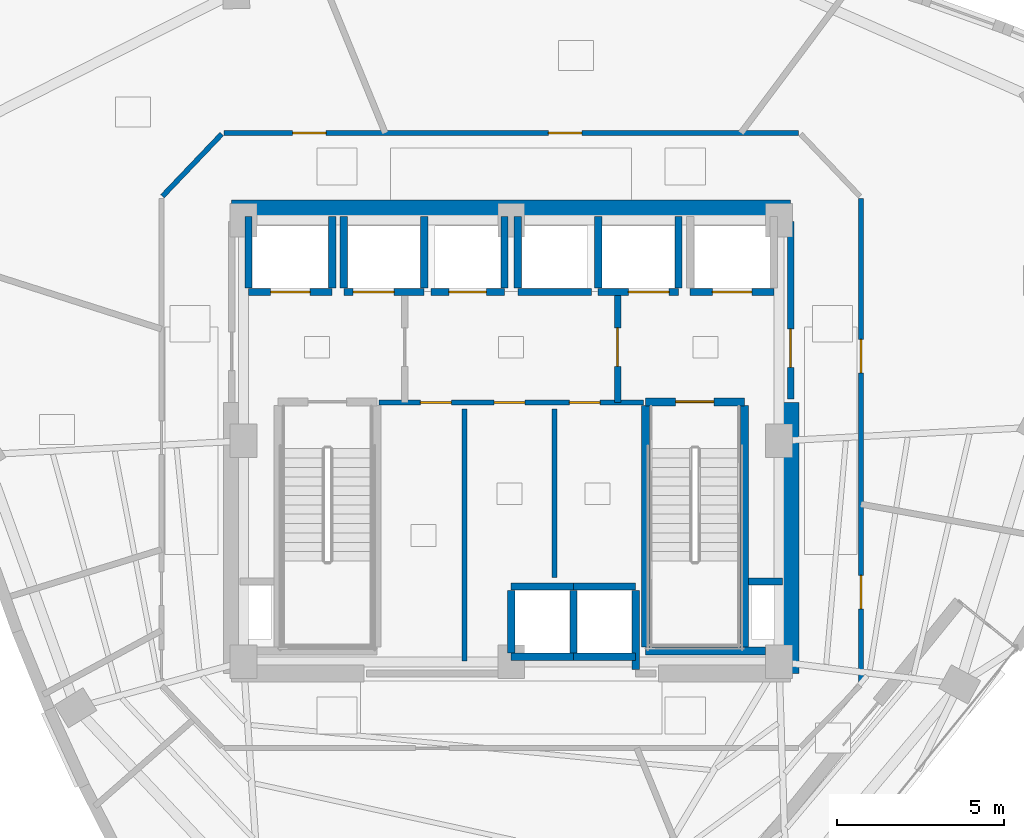
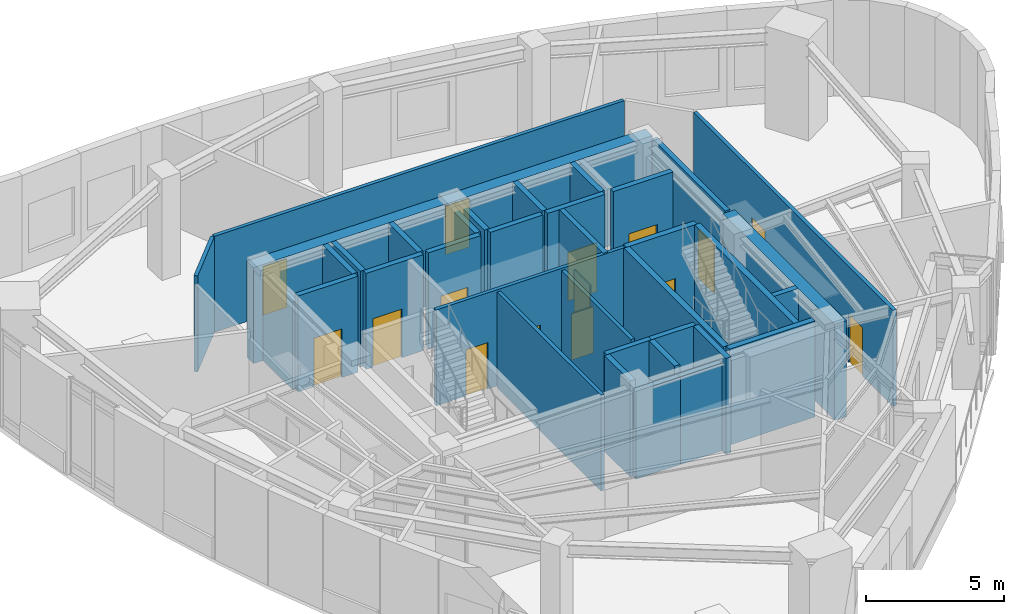
# One storey, part 9 of 14: 36 walls, 15 doors, 15 openings.
"""IFC4 building model written with IfcOpenShell, lengths in metres."""

from ifc_helpers import new_model, si_unit, direction, frame, frame_2d, origin, place, context, subcontext, project, spatial, rectangle, extrude, material, layer, layer_set, type_object, element, fill, save


model = new_model("IFC4")

# Units and contexts
model_context = context("Model", 3, precision=1e-05, world=origin(), true_north=direction((0.0, 1.0)))
body_context = subcontext(model_context, "Body", "Model", "MODEL_VIEW")
ifc_project = project(units=[si_unit("LENGTHUNIT", "METRE"), si_unit("AREAUNIT", "SQUARE_METRE"), si_unit("VOLUMEUNIT", "CUBIC_METRE"), si_unit("PLANEANGLEUNIT", "RADIAN"), si_unit("MASSUNIT", "GRAM", prefix="KILO")], contexts=[model_context])

# Site, building, storey
site_placement = place(None, origin())
site = spatial("IfcSite", under=ifc_project, at=site_placement, CompositionType="ELEMENT")
building_placement = place(site_placement, origin())
building = spatial("IfcBuilding", under=site, at=building_placement, Name="Ndelora Gate Hotel", CompositionType="ELEMENT")
storey_placement = place(building_placement, frame((0.0, 0.0, 178.25)))
storey = spatial("IfcBuildingStorey", under=building, at=storey_placement, Name="L44", CompositionType="ELEMENT", Elevation=178.25)

# Walls
ifc_material_1 = material(Name="Concrete C50/60", Category="concrete")
ifc_layer_1 = layer(ifc_material_1, 0.5)
ifc_layer_set_1 = layer_set([ifc_layer_1], Name="Concrete C50/60")
wall_type_1 = type_object("IfcWallType", Name="WL-CORE-500", PredefinedType="SHEAR", material=ifc_layer_set_1)
wall_1_placement = place(storey_placement, frame((-8.35009765625, 6.949951171875, 0.0), z_axis=(0.0, 0.0, 1.0), x_axis=(1.0, 0.0, 0.0)))
element("IfcWall", 1, at=wall_1_placement, inside=storey, type_object=wall_type_1, Name="L44 Core Shear Wall N", PredefinedType="SHEAR", context=body_context, shape_type="SweptSolid", body=[
    extrude(rectangle(XDim=16.7001953125, YDim=0.5, at=frame_2d((8.35009765625, 0.0))), origin(), (0.0, 0.0, 1.0), 4.25),
])
wall_2_placement = place(storey_placement, frame((8.35009765625, -6.949951171875, 0.0), z_axis=(0.0, 0.0, 1.0), x_axis=(0.0, 1.0, 0.0)))
element("IfcWall", 2, at=wall_2_placement, inside=storey, type_object=wall_type_1, Name="L44 Core Shear Wall E", PredefinedType="SHEAR", context=body_context, shape_type="SweptSolid", body=[
    extrude(rectangle(XDim=8.099853515625, YDim=0.5, at=frame_2d((4.0498046875, 0.0))), origin(), (0.0, 0.0, 1.0), 4.25),
])

# Wall, opening, door
ifc_material_2 = material(Name="Concrete C40/50", Category="concrete")
ifc_layer_2 = layer(ifc_material_2, 0.199951171875)
ifc_layer_set_2 = layer_set([ifc_layer_2], Name="Concrete C40/50")
wall_type_2 = type_object("IfcWallType", Name="WL-FIRE-200", PredefinedType="PARTITIONING", material=ifc_layer_set_2)
wall_3_placement = place(storey_placement, frame((3.179931640625, 1.14990234375, 0.0), z_axis=(0.0, 0.0, 1.0), x_axis=(0.0, 1.0, 0.0)))
wall_3 = element("IfcWall", 3, at=wall_3_placement, inside=storey, type_object=wall_type_2, Name="L44 Interior Wall IW-2", PredefinedType="PARTITIONING", context=body_context, shape_type="SweptSolid", body=[
    extrude(rectangle(XDim=3.300048828125, YDim=0.199951171875, at=frame_2d((1.64990234375, 0.0))), origin(), (0.0, 0.0, 1.0), 4.25),
])
opening_1_placement = place(wall_3_placement, frame((1.080078125, 0.0, 0.0)))
opening_1 = element("IfcOpeningElement", 4, at=opening_1_placement, cuts=wall_3, Name="Opening FD1", PredefinedType="OPENING", context=body_context, shape_type="SweptSolid", body=[
    extrude(rectangle(XDim=1.14990234375, YDim=2.14990234375, at=frame_2d((0.574951171875, 1.074951171875))), frame((0.0, 0.10986328125, 0.0), z_axis=(0.0, -1.0, 0.0), x_axis=(1.0, 0.0, 0.0)), (0.0, 0.0, 1.0), 0.219970703125),
])
ifc_material_3 = material(Name="Fire-Rated Timber-Veneer Steel Core", Category="steel")
door_type_1 = type_object("IfcDoorType", Name="DR-FD60", OperationType="SINGLE_SWING_LEFT", PredefinedType="DOOR", material=ifc_material_3)
door_1_placement = place(opening_1_placement, origin())
door_1 = element("IfcDoor", 5, at=door_1_placement, inside=storey, type_object=door_type_1, Name="L44 Firefighting Lobby East Door", OperationType="SINGLE_SWING_LEFT", OverallHeight=2.14990234375, OverallWidth=1.14990234375, PredefinedType="DOOR", context=body_context, shape_type="SweptSolid", body=[
    extrude(rectangle(XDim=1.14990234375, YDim=2.14990234375, at=frame_2d((0.574951171875, 1.074951171875))), frame((0.0, 0.02490234375, 0.0), z_axis=(0.0, -1.0, 0.0), x_axis=(1.0, 0.0, 0.0)), (0.0, 0.0, 1.0), 0.050048828125),
])
fill(opening_1, door_1)

wall_4_placement = place(storey_placement, frame((8.35009765625, 1.25, 0.0), z_axis=(0.0, 0.0, 1.0), x_axis=(0.0, 1.0, 0.0)))
wall_4 = element("IfcWall", 6, at=wall_4_placement, inside=storey, type_object=wall_type_2, Name="L44 Interior Wall IW-2", PredefinedType="PARTITIONING", context=body_context, shape_type="SweptSolid", body=[
    extrude(rectangle(XDim=5.300048828125, YDim=0.199951171875, at=frame_2d((2.64990234375, 0.0))), origin(), (0.0, 0.0, 1.0), 4.25),
])
opening_2_placement = place(wall_4_placement, frame((0.949951171875, 0.0, 0.0)))
opening_2 = element("IfcOpeningElement", 7, at=opening_2_placement, cuts=wall_4, Name="Opening FD1", PredefinedType="OPENING", context=body_context, shape_type="SweptSolid", body=[
    extrude(rectangle(XDim=1.14990234375, YDim=2.14990234375, at=frame_2d((0.574951171875, 1.074951171875))), frame((0.0, 0.10986328125, 0.0), z_axis=(0.0, -1.0, 0.0), x_axis=(1.0, 0.0, 0.0)), (0.0, 0.0, 1.0), 0.219970703125),
])
door_2_placement = place(opening_2_placement, origin())
door_2 = element("IfcDoor", 8, at=door_2_placement, inside=storey, type_object=door_type_1, Name="L44 Firefighting Lobby East Corridor Door", OperationType="SINGLE_SWING_RIGHT", OverallHeight=2.14990234375, OverallWidth=1.14990234375, PredefinedType="DOOR", context=body_context, shape_type="SweptSolid", body=[
    extrude(rectangle(XDim=1.14990234375, YDim=2.14990234375, at=frame_2d((0.574951171875, 1.074951171875))), frame((0.0, 0.02490234375, 0.0), z_axis=(0.0, -1.0, 0.0), x_axis=(1.0, 0.0, 0.0)), (0.0, 0.0, 1.0), 0.050048828125),
])
fill(opening_2, door_2)

# Wall, openings, doors
ifc_material_4 = material(Name="Fire-Rated Gypsum Stud Partition", Category="gypsum")
ifc_layer_3 = layer(ifc_material_4, 0.14990234375)
ifc_layer_set_3 = layer_set([ifc_layer_3], Name="Fire-Rated Gypsum Stud Partition")
wall_type_3 = type_object("IfcWallType", Name="WL-PART-150", PredefinedType="PARTITIONING", material=ifc_layer_set_3)
wall_5_placement = place(storey_placement, frame((3.949951171875, 1.14990234375, 0.0), z_axis=(0.0, 0.0, 1.0), x_axis=(-1.0, 0.0, 0.0)))
wall_5 = element("IfcWall", 9, at=wall_5_placement, inside=storey, type_object=wall_type_3, Name="L44 Interior Wall IW-5", PredefinedType="PARTITIONING", context=body_context, shape_type="SweptSolid", body=[
    extrude(rectangle(XDim=7.89990234375, YDim=0.14990234375, at=frame_2d((3.949951171875, 0.0))), origin(), (0.0, 0.0, 1.0), 4.25),
])
opening_3_placement = place(wall_5_placement, frame((5.739990234375, 0.0, 0.0)))
opening_3 = element("IfcOpeningElement", 10, at=opening_3_placement, cuts=wall_5, Name="Opening D04", PredefinedType="OPENING", context=body_context, shape_type="SweptSolid", body=[
    extrude(rectangle(XDim=0.919921875, YDim=2.050048828125, at=frame_2d((0.4599609375, 1.02490234375))), frame((0.0, 0.0849609375, 0.0), z_axis=(0.0, -1.0, 0.0), x_axis=(1.0, 0.0, 0.0)), (0.0, 0.0, 1.0), 0.169921875),
])
opening_4_placement = place(wall_5_placement, frame((3.5400390625, 0.0, 0.0)))
opening_4 = element("IfcOpeningElement", 11, at=opening_4_placement, cuts=wall_5, Name="Opening D04", PredefinedType="OPENING", context=body_context, shape_type="SweptSolid", body=[
    extrude(rectangle(XDim=0.919921875, YDim=2.050048828125, at=frame_2d((0.4599609375, 1.02490234375))), frame((0.0, 0.0849609375, 0.0), z_axis=(0.0, -1.0, 0.0), x_axis=(1.0, 0.0, 0.0)), (0.0, 0.0, 1.0), 0.169921875),
])
opening_5_placement = place(wall_5_placement, frame((1.2900390625, 0.0, 0.0)))
opening_5 = element("IfcOpeningElement", 12, at=opening_5_placement, cuts=wall_5, Name="Opening D04", PredefinedType="OPENING", context=body_context, shape_type="SweptSolid", body=[
    extrude(rectangle(XDim=0.919921875, YDim=2.050048828125, at=frame_2d((0.4599609375, 1.02490234375))), frame((0.0, 0.0849609375, 0.0), z_axis=(0.0, -1.0, 0.0), x_axis=(1.0, 0.0, 0.0)), (0.0, 0.0, 1.0), 0.169921875),
])
ifc_material_5 = material(Name="Painted Steel Core Service Door", Category="steel")
door_type_2 = type_object("IfcDoorType", Name="DR-SER-920", OperationType="SINGLE_SWING_LEFT", PredefinedType="DOOR", material=ifc_material_5)
door_3_placement = place(opening_3_placement, origin())
door_3 = element("IfcDoor", 13, at=door_3_placement, inside=storey, type_object=door_type_2, Name="L44 Core Cleaners Store Door", OperationType="SINGLE_SWING_LEFT", OverallHeight=2.050048828125, OverallWidth=0.919921875, PredefinedType="DOOR", context=body_context, shape_type="SweptSolid", body=[
    extrude(rectangle(XDim=0.919921875, YDim=2.050048828125, at=frame_2d((0.4599609375, 1.02490234375))), frame((0.0, 0.02490234375, 0.0), z_axis=(0.0, -1.0, 0.0), x_axis=(1.0, 0.0, 0.0)), (0.0, 0.0, 1.0), 0.050048828125),
])
fill(opening_3, door_3)
door_4_placement = place(opening_4_placement, origin())
door_4 = element("IfcDoor", 14, at=door_4_placement, inside=storey, type_object=door_type_2, Name="L44 Core Telecoms Equipment Room Door", OperationType="SINGLE_SWING_RIGHT", OverallHeight=2.050048828125, OverallWidth=0.919921875, PredefinedType="DOOR", context=body_context, shape_type="SweptSolid", body=[
    extrude(rectangle(XDim=0.919921875, YDim=2.050048828125, at=frame_2d((0.4599609375, 1.02490234375))), frame((0.0, 0.02490234375, 0.0), z_axis=(0.0, -1.0, 0.0), x_axis=(1.0, 0.0, 0.0)), (0.0, 0.0, 1.0), 0.050048828125),
])
fill(opening_4, door_4)
door_5_placement = place(opening_5_placement, origin())
door_5 = element("IfcDoor", 15, at=door_5_placement, inside=storey, type_object=door_type_2, Name="L44 Core Electrical Metering Room Door", OperationType="SINGLE_SWING_LEFT", OverallHeight=2.050048828125, OverallWidth=0.919921875, PredefinedType="DOOR", context=body_context, shape_type="SweptSolid", body=[
    extrude(rectangle(XDim=0.919921875, YDim=2.050048828125, at=frame_2d((0.4599609375, 1.02490234375))), frame((0.0, 0.02490234375, 0.0), z_axis=(0.0, -1.0, 0.0), x_axis=(1.0, 0.0, 0.0)), (0.0, 0.0, 1.0), 0.050048828125),
])
fill(opening_5, door_5)

# Walls
wall_6_placement = place(storey_placement, frame((-1.39990234375, -6.580078125, 0.0), z_axis=(0.0, 0.0, 1.0), x_axis=(0.0, 1.0, 0.0)))
element("IfcWall", 16, at=wall_6_placement, inside=storey, type_object=wall_type_3, Name="L44 Interior Wall IW-5", PredefinedType="PARTITIONING", context=body_context, shape_type="SweptSolid", body=[
    extrude(rectangle(XDim=7.530029296875, YDim=0.14990234375, at=frame_2d((3.76513671875, 0.0))), origin(), (0.0, 0.0, 1.0), 4.25),
])
wall_7_placement = place(storey_placement, frame((1.300048828125, -4.080078125, 0.0), z_axis=(0.0, 0.0, 1.0), x_axis=(0.0, 1.0, 0.0)))
element("IfcWall", 17, at=wall_7_placement, inside=storey, type_object=wall_type_3, Name="L44 Interior Wall IW-5", PredefinedType="PARTITIONING", context=body_context, shape_type="SweptSolid", body=[
    extrude(rectangle(XDim=5.030029296875, YDim=0.14990234375, at=frame_2d((2.51513671875, 0.0))), origin(), (0.0, 0.0, 1.0), 4.25),
])

# Wall, openings, doors
wall_8_placement = place(storey_placement, frame((10.449951171875, 7.239990234375, 0.0), z_axis=(0.0, 0.0, 1.0), x_axis=(0.0, -1.0, 0.0)))
wall_8 = element("IfcWall", 18, at=wall_8_placement, inside=storey, type_object=wall_type_3, Name="L44 Interior Wall IW-5", PredefinedType="PARTITIONING", context=body_context, shape_type="SweptSolid", body=[
    extrude(rectangle(XDim=14.47998046875, YDim=0.14990234375, at=frame_2d((7.239990234375, 0.0))), origin(), (0.0, 0.0, 1.0), 4.25),
])
opening_6_placement = place(wall_8_placement, frame((11.2548828125, 0.0, 0.0)))
opening_6 = element("IfcOpeningElement", 19, at=opening_6_placement, cuts=wall_8, Name="Opening D01", PredefinedType="OPENING", context=body_context, shape_type="SweptSolid", body=[
    extrude(rectangle(XDim=1.0, YDim=2.14990234375, at=frame_2d((0.5, 1.074951171875))), frame((0.0, 0.0849609375, 0.0), z_axis=(0.0, -1.0, 0.0), x_axis=(1.0, 0.0, 0.0)), (0.0, 0.0, 1.0), 0.169921875),
])
opening_7_placement = place(wall_8_placement, frame((4.2060546875, 0.0, 0.0)))
opening_7 = element("IfcOpeningElement", 20, at=opening_7_placement, cuts=wall_8, Name="Opening D01", PredefinedType="OPENING", context=body_context, shape_type="SweptSolid", body=[
    extrude(rectangle(XDim=1.0, YDim=2.14990234375, at=frame_2d((0.5, 1.074951171875))), frame((0.0, 0.0849609375, 0.0), z_axis=(0.0, -1.0, 0.0), x_axis=(1.0, 0.0, 0.0)), (0.0, 0.0, 1.0), 0.169921875),
])
ifc_material_6 = material(Name="Acoustic Hardwood Guest Entrance Door", Category="wood")
door_type_3 = type_object("IfcDoorType", Name="DR-COR-1000", OperationType="SINGLE_SWING_LEFT", PredefinedType="DOOR", material=ifc_material_6)
door_6_placement = place(opening_6_placement, origin())
door_6 = element("IfcDoor", 21, at=door_6_placement, inside=storey, type_object=door_type_3, Name="L44 Sky Garden Tea Dining Room Entrance Door", OperationType="SINGLE_SWING_RIGHT", OverallHeight=2.14990234375, OverallWidth=1.0, PredefinedType="DOOR", context=body_context, shape_type="SweptSolid", body=[
    extrude(rectangle(XDim=1.0, YDim=2.14990234375, at=frame_2d((0.5, 1.074951171875))), frame((0.0, 0.02490234375, 0.0), z_axis=(0.0, -1.0, 0.0), x_axis=(1.0, 0.0, 0.0)), (0.0, 0.0, 1.0), 0.050048828125),
])
fill(opening_6, door_6)
door_7_placement = place(opening_7_placement, origin())
door_7 = element("IfcDoor", 22, at=door_7_placement, inside=storey, type_object=door_type_3, Name="L44 Infinity Sky Tea Salon Entrance Door", OperationType="SINGLE_SWING_RIGHT", OverallHeight=2.14990234375, OverallWidth=1.0, PredefinedType="DOOR", context=body_context, shape_type="SweptSolid", body=[
    extrude(rectangle(XDim=1.0, YDim=2.14990234375, at=frame_2d((0.5, 1.074951171875))), frame((0.0, 0.02490234375, 0.0), z_axis=(0.0, -1.0, 0.0), x_axis=(1.0, 0.0, 0.0)), (0.0, 0.0, 1.0), 0.050048828125),
])
fill(opening_7, door_7)

wall_9_placement = place(storey_placement, frame((-8.580078125, 9.199951171875, 0.0), z_axis=(0.0, 0.0, 1.0), x_axis=(1.0, 0.0, 0.0)))
wall_9 = element("IfcWall", 23, at=wall_9_placement, inside=storey, type_object=wall_type_3, Name="L44 Interior Wall IW-5", PredefinedType="PARTITIONING", context=body_context, shape_type="SweptSolid", body=[
    extrude(rectangle(XDim=17.16015625, YDim=0.14990234375, at=frame_2d((8.580078125, 0.0))), origin(), (0.0, 0.0, 1.0), 4.25),
])
opening_8_placement = place(wall_9_placement, frame((9.694580078125, 0.0, 0.0)))
opening_8 = element("IfcOpeningElement", 24, at=opening_8_placement, cuts=wall_9, Name="Opening D01", PredefinedType="OPENING", context=body_context, shape_type="SweptSolid", body=[
    extrude(rectangle(XDim=1.0, YDim=2.14990234375, at=frame_2d((0.5, 1.074951171875))), frame((0.0, 0.0849609375, 0.0), z_axis=(0.0, -1.0, 0.0), x_axis=(1.0, 0.0, 0.0)), (0.0, 0.0, 1.0), 0.169921875),
])
opening_9_placement = place(wall_9_placement, frame((2.048095703125, 0.0, 0.0)))
opening_9 = element("IfcOpeningElement", 25, at=opening_9_placement, cuts=wall_9, Name="Opening D01", PredefinedType="OPENING", context=body_context, shape_type="SweptSolid", body=[
    extrude(rectangle(XDim=1.0, YDim=2.14990234375, at=frame_2d((0.5, 1.074951171875))), frame((0.0, 0.0849609375, 0.0), z_axis=(0.0, -1.0, 0.0), x_axis=(1.0, 0.0, 0.0)), (0.0, 0.0, 1.0), 0.169921875),
])
door_8_placement = place(opening_8_placement, origin())
door_8 = element("IfcDoor", 26, at=door_8_placement, inside=storey, type_object=door_type_3, Name="L44 Pilates Movement Studio Entrance Door", OperationType="SINGLE_SWING_RIGHT", OverallHeight=2.14990234375, OverallWidth=1.0, PredefinedType="DOOR", context=body_context, shape_type="SweptSolid", body=[
    extrude(rectangle(XDim=1.0, YDim=2.14990234375, at=frame_2d((0.5, 1.074951171875))), frame((0.0, 0.02490234375, 0.0), z_axis=(0.0, -1.0, 0.0), x_axis=(1.0, 0.0, 0.0)), (0.0, 0.0, 1.0), 0.050048828125),
])
fill(opening_8, door_8)
door_9_placement = place(opening_9_placement, origin())
door_9 = element("IfcDoor", 27, at=door_9_placement, inside=storey, type_object=door_type_3, Name="L44 Wellness Juice Bar Entrance Door", OperationType="SINGLE_SWING_LEFT", OverallHeight=2.14990234375, OverallWidth=1.0, PredefinedType="DOOR", context=body_context, shape_type="SweptSolid", body=[
    extrude(rectangle(XDim=1.0, YDim=2.14990234375, at=frame_2d((0.5, 1.074951171875))), frame((0.0, 0.02490234375, 0.0), z_axis=(0.0, -1.0, 0.0), x_axis=(1.0, 0.0, 0.0)), (0.0, 0.0, 1.0), 0.050048828125),
])
fill(opening_9, door_9)

# Walls
wall_10_placement = place(storey_placement, frame((-10.42236328125, 7.30908203125, 0.0), z_axis=(0.0, 0.0, 1.0), x_axis=(0.689960858356, 0.723846678473, 0.0)))
element("IfcWall", 28, at=wall_10_placement, inside=storey, type_object=wall_type_3, Name="L44 Interior Wall IW-5", PredefinedType="PARTITIONING", context=body_context, shape_type="SweptSolid", body=[
    extrude(rectangle(XDim=2.572021484375, YDim=0.14990234375, at=frame_2d((1.2861328125, 0.0))), origin(), (0.0, 0.0, 1.0), 4.25),
])
ifc_layer_4 = layer(ifc_material_2, 0.219970703125)
ifc_layer_set_4 = layer_set([ifc_layer_4], Name="Concrete C40/50")
wall_type_4 = type_object("IfcWallType", Name="WL-SHAFT-220", PredefinedType="PARTITIONING", material=ifc_layer_set_4)
wall_11_placement = place(storey_placement, frame((7.090087890625, -4.199951171875, 0.0), z_axis=(0.0, 0.0, 1.0), x_axis=(1.0, 0.0, 0.0)))
element("IfcWall", 29, at=wall_11_placement, inside=storey, type_object=wall_type_4, Name="L44 Interior Wall IW-1", PredefinedType="PARTITIONING", context=body_context, shape_type="SweptSolid", body=[
    extrude(rectangle(XDim=1.010009765625, YDim=0.219970703125, at=frame_2d((0.5048828125, 0.0))), origin(), (0.0, 0.0, 1.0), 4.25),
])

# Wall, opening, door
wall_12_placement = place(storey_placement, frame((-7.85009765625, 4.449951171875, 0.0), z_axis=(0.0, 0.0, 1.0), x_axis=(1.0, 0.0, 0.0)))
wall_12 = element("IfcWall", 30, at=wall_12_placement, inside=storey, type_object=wall_type_4, Name="L44 Interior Wall IW-1", PredefinedType="PARTITIONING", context=body_context, shape_type="SweptSolid", body=[
    extrude(rectangle(XDim=2.5, YDim=0.219970703125, at=frame_2d((1.25, 0.0))), origin(), (0.0, 0.0, 1.0), 4.25),
])
opening_10_placement = place(wall_12_placement, frame((0.659912109375, 0.0, 0.0)))
opening_10 = element("IfcOpeningElement", 31, at=opening_10_placement, cuts=wall_12, Name="Opening LD5", PredefinedType="OPENING", context=body_context, shape_type="SweptSolid", body=[
    extrude(rectangle(XDim=1.179931640625, YDim=2.14990234375, at=frame_2d((0.58984375, 1.074951171875))), frame((0.0, 0.1201171875, 0.0), z_axis=(0.0, -1.0, 0.0), x_axis=(1.0, 0.0, 0.0)), (0.0, 0.0, 1.0), 0.239990234375),
])
ifc_material_7 = material(Name="Firefighting Lift Stainless Sliding Landing Door", Category="metal")
door_type_4 = type_object("IfcDoorType", Name="DR-LD5", OperationType="DOUBLE_DOOR_SLIDING", PredefinedType="DOOR", material=ifc_material_7)
door_10_placement = place(opening_10_placement, origin())
door_10 = element("IfcDoor", 32, at=door_10_placement, inside=storey, type_object=door_type_4, Name="L44 Lift Landing Sliding Door FFL1", OperationType="DOUBLE_DOOR_SLIDING", OverallHeight=2.14990234375, OverallWidth=1.179931640625, PredefinedType="DOOR", context=body_context, shape_type="SweptSolid", body=[
    extrude(rectangle(XDim=1.179931640625, YDim=2.14990234375, at=frame_2d((0.58984375, 1.074951171875))), frame((0.0, 0.02490234375, 0.0), z_axis=(0.0, -1.0, 0.0), x_axis=(1.0, 0.0, 0.0)), (0.0, 0.0, 1.0), 0.050048828125),
])
fill(opening_10, door_10)

# Walls
wall_13_placement = place(storey_placement, frame((-7.85009765625, 4.570068359375, 0.0), z_axis=(0.0, 0.0, 1.0), x_axis=(0.0, 1.0, 0.0)))
element("IfcWall", 33, at=wall_13_placement, inside=storey, type_object=wall_type_4, Name="L44 Interior Wall IW-1", PredefinedType="PARTITIONING", context=body_context, shape_type="SweptSolid", body=[
    extrude(rectangle(XDim=2.1298828125, YDim=0.219970703125, at=frame_2d((1.06494140625, 0.0))), origin(), (0.0, 0.0, 1.0), 3.8798828125),
])
wall_14_placement = place(storey_placement, frame((-5.35009765625, 4.570068359375, 0.0), z_axis=(0.0, 0.0, 1.0), x_axis=(0.0, 1.0, 0.0)))
element("IfcWall", 34, at=wall_14_placement, inside=storey, type_object=wall_type_4, Name="L44 Interior Wall IW-1", PredefinedType="PARTITIONING", context=body_context, shape_type="SweptSolid", body=[
    extrude(rectangle(XDim=2.1298828125, YDim=0.219970703125, at=frame_2d((1.06494140625, 0.0))), origin(), (0.0, 0.0, 1.0), 4.25),
])

# Wall, opening, door
wall_15_placement = place(storey_placement, frame((5.35009765625, 4.449951171875, 0.0), z_axis=(0.0, 0.0, 1.0), x_axis=(1.0, 0.0, 0.0)))
wall_15 = element("IfcWall", 35, at=wall_15_placement, inside=storey, type_object=wall_type_4, Name="L44 Interior Wall IW-1", PredefinedType="PARTITIONING", context=body_context, shape_type="SweptSolid", body=[
    extrude(rectangle(XDim=2.5, YDim=0.219970703125, at=frame_2d((1.25, 0.0))), origin(), (0.0, 0.0, 1.0), 4.25),
])
opening_11_placement = place(wall_15_placement, frame((0.659912109375, 0.0, 0.0)))
opening_11 = element("IfcOpeningElement", 36, at=opening_11_placement, cuts=wall_15, Name="Opening LD5", PredefinedType="OPENING", context=body_context, shape_type="SweptSolid", body=[
    extrude(rectangle(XDim=1.179931640625, YDim=2.14990234375, at=frame_2d((0.58984375, 1.074951171875))), frame((0.0, 0.1201171875, 0.0), z_axis=(0.0, -1.0, 0.0), x_axis=(1.0, 0.0, 0.0)), (0.0, 0.0, 1.0), 0.239990234375),
])
door_11_placement = place(opening_11_placement, origin())
door_11 = element("IfcDoor", 37, at=door_11_placement, inside=storey, type_object=door_type_4, Name="L44 Lift Landing Sliding Door FFL2", OperationType="DOUBLE_DOOR_SLIDING", OverallHeight=2.14990234375, OverallWidth=1.179931640625, PredefinedType="DOOR", context=body_context, shape_type="SweptSolid", body=[
    extrude(rectangle(XDim=1.179931640625, YDim=2.14990234375, at=frame_2d((0.58984375, 1.074951171875))), frame((0.0, 0.02490234375, 0.0), z_axis=(0.0, -1.0, 0.0), x_axis=(1.0, 0.0, 0.0)), (0.0, 0.0, 1.0), 0.050048828125),
])
fill(opening_11, door_11)

wall_16_placement = place(storey_placement, frame((-5.0, 4.449951171875, 0.0), z_axis=(0.0, 0.0, 1.0), x_axis=(1.0, 0.0, 0.0)))
wall_16 = element("IfcWall", 38, at=wall_16_placement, inside=storey, type_object=wall_type_4, Name="L44 Interior Wall IW-1", PredefinedType="PARTITIONING", context=body_context, shape_type="SweptSolid", body=[
    extrude(rectangle(XDim=2.39990234375, YDim=0.219970703125, at=frame_2d((1.199951171875, 0.0))), origin(), (0.0, 0.0, 1.0), 4.25),
])
opening_12_placement = place(wall_16_placement, frame((0.280029296875, 0.0, 0.0)))
opening_12 = element("IfcOpeningElement", 39, at=opening_12_placement, cuts=wall_16, Name="Opening LD6", PredefinedType="OPENING", context=body_context, shape_type="SweptSolid", body=[
    extrude(rectangle(XDim=1.219970703125, YDim=2.14990234375, at=frame_2d((0.60986328125, 1.074951171875))), frame((0.0, 0.1201171875, 0.0), z_axis=(0.0, -1.0, 0.0), x_axis=(1.0, 0.0, 0.0)), (0.0, 0.0, 1.0), 0.239990234375),
])
ifc_material_8 = material(Name="Heavy-Duty Service Lift Sliding Landing Door", Category="wood")
door_type_5 = type_object("IfcDoorType", Name="DR-LD6", OperationType="DOUBLE_DOOR_SLIDING", PredefinedType="DOOR", material=ifc_material_8)
door_12_placement = place(opening_12_placement, origin())
door_12 = element("IfcDoor", 40, at=door_12_placement, inside=storey, type_object=door_type_5, Name="L44 Lift Landing Sliding Door SVL1", OperationType="DOUBLE_DOOR_SLIDING", OverallHeight=2.14990234375, OverallWidth=1.219970703125, PredefinedType="DOOR", context=body_context, shape_type="SweptSolid", body=[
    extrude(rectangle(XDim=1.219970703125, YDim=2.14990234375, at=frame_2d((0.60986328125, 1.074951171875))), frame((0.0, 0.02490234375, 0.0), z_axis=(0.0, -1.0, 0.0), x_axis=(1.0, 0.0, 0.0)), (0.0, 0.0, 1.0), 0.050048828125),
])
fill(opening_12, door_12)

# Walls
for number, where, z_axis, x_axis, name in (
    (41, (-5.0, 4.570068359375, 0.0), (0.0, 0.0, 1.0), (0.0, 1.0, 0.0), "L44 Interior Wall IW-1"),
    (42, (-2.60009765625, 4.570068359375, 0.0), (0.0, 0.0, 1.0), (0.0, 1.0, 0.0), "L44 Interior Wall IW-1"),
):
    element("IfcWall", number, at=place(storey_placement, frame(where, z_axis=z_axis, x_axis=x_axis)), inside=storey, type_object=wall_type_4, Name=name, PredefinedType="PARTITIONING", context=body_context, shape_type="SweptSolid", body=[
        extrude(rectangle(XDim=2.1298828125, YDim=0.219970703125, at=frame_2d((1.06494140625, 0.0))), origin(), (0.0, 0.0, 1.0), 4.25),
    ])

# Wall, opening, door
wall_17_placement = place(storey_placement, frame((2.60009765625, 4.449951171875, 0.0), z_axis=(0.0, 0.0, 1.0), x_axis=(1.0, 0.0, 0.0)))
wall_17 = element("IfcWall", 43, at=wall_17_placement, inside=storey, type_object=wall_type_4, Name="L44 Interior Wall IW-1", PredefinedType="PARTITIONING", context=body_context, shape_type="SweptSolid", body=[
    extrude(rectangle(XDim=2.39990234375, YDim=0.219970703125, at=frame_2d((1.199951171875, 0.0))), origin(), (0.0, 0.0, 1.0), 4.25),
])
opening_13_placement = place(wall_17_placement, frame((0.89990234375, 0.0, 0.0)))
opening_13 = element("IfcOpeningElement", 44, at=opening_13_placement, cuts=wall_17, Name="Opening LD6", PredefinedType="OPENING", context=body_context, shape_type="SweptSolid", body=[
    extrude(rectangle(XDim=1.219970703125, YDim=2.14990234375, at=frame_2d((0.60986328125, 1.074951171875))), frame((0.0, 0.1201171875, 0.0), z_axis=(0.0, -1.0, 0.0), x_axis=(1.0, 0.0, 0.0)), (0.0, 0.0, 1.0), 0.239990234375),
])
door_13_placement = place(opening_13_placement, origin())
door_13 = element("IfcDoor", 45, at=door_13_placement, inside=storey, type_object=door_type_5, Name="L44 Lift Landing Sliding Door SVL2", OperationType="DOUBLE_DOOR_SLIDING", OverallHeight=2.14990234375, OverallWidth=1.219970703125, PredefinedType="DOOR", context=body_context, shape_type="SweptSolid", body=[
    extrude(rectangle(XDim=1.219970703125, YDim=2.14990234375, at=frame_2d((0.60986328125, 1.074951171875))), frame((0.0, 0.02490234375, 0.0), z_axis=(0.0, -1.0, 0.0), x_axis=(1.0, 0.0, 0.0)), (0.0, 0.0, 1.0), 0.050048828125),
])
fill(opening_13, door_13)

# Walls
for number, where, z_axis, x_axis, name in (
    (46, (2.60009765625, 4.570068359375, 0.0), (0.0, 0.0, 1.0), (0.0, 1.0, 0.0), "L44 Interior Wall IW-1"),
    (47, (5.0, 4.570068359375, 0.0), (0.0, 0.0, 1.0), (0.0, 1.0, 0.0), "L44 Interior Wall IW-1"),
):
    element("IfcWall", number, at=place(storey_placement, frame(where, z_axis=z_axis, x_axis=x_axis)), inside=storey, type_object=wall_type_4, Name=name, PredefinedType="PARTITIONING", context=body_context, shape_type="SweptSolid", body=[
        extrude(rectangle(XDim=2.1298828125, YDim=0.219970703125, at=frame_2d((1.06494140625, 0.0))), origin(), (0.0, 0.0, 1.0), 4.25),
    ])
wall_18_placement = place(storey_placement, frame((0.0, -6.449951171875, 0.0), z_axis=(0.0, 0.0, 1.0), x_axis=(1.0, 0.0, 0.0)))
element("IfcWall", 48, at=wall_18_placement, inside=storey, type_object=wall_type_4, Name="L44 Interior Wall IW-1", PredefinedType="PARTITIONING", context=body_context, shape_type="SweptSolid", body=[
    extrude(rectangle(XDim=1.860107421875, YDim=0.219970703125, at=frame_2d((0.93017578125, 0.0))), origin(), (0.0, 0.0, 1.0), 3.8798828125),
])
for number, where, z_axis, x_axis, name in (
    (49, (0.0, -4.35009765625, 0.0), (0.0, 0.0, 1.0), (1.0, 0.0, 0.0), "L44 Interior Wall IW-1"),
    (50, (0.0, -6.330078125, 0.0), (0.0, 0.0, 1.0), (0.0, 1.0, 0.0), "L44 Interior Wall IW-1"),
    (51, (1.860107421875, -6.330078125, 0.0), (0.0, 0.0, 1.0), (0.0, 1.0, 0.0), "L44 Interior Wall IW-1"),
):
    element("IfcWall", number, at=place(storey_placement, frame(where, z_axis=z_axis, x_axis=x_axis)), inside=storey, type_object=wall_type_4, Name=name, PredefinedType="PARTITIONING", context=body_context, shape_type="SweptSolid", body=[
        extrude(rectangle(XDim=1.860107421875, YDim=0.219970703125, at=frame_2d((0.93017578125, 0.0))), origin(), (0.0, 0.0, 1.0), 4.25),
    ])
wall_19_placement = place(storey_placement, frame((1.860107421875, -6.449951171875, 0.0), z_axis=(0.0, 0.0, 1.0), x_axis=(1.0, 0.0, 0.0)))
element("IfcWall", 52, at=wall_19_placement, inside=storey, type_object=wall_type_4, Name="L44 Interior Wall IW-1", PredefinedType="PARTITIONING", context=body_context, shape_type="SweptSolid", body=[
    extrude(rectangle(XDim=1.85986328125, YDim=0.219970703125, at=frame_2d((0.929931640625, 0.0))), origin(), (0.0, 0.0, 1.0), 3.8798828125),
])
wall_20_placement = place(storey_placement, frame((1.860107421875, -4.35009765625, 0.0), z_axis=(0.0, 0.0, 1.0), x_axis=(1.0, 0.0, 0.0)))
element("IfcWall", 53, at=wall_20_placement, inside=storey, type_object=wall_type_4, Name="L44 Interior Wall IW-1", PredefinedType="PARTITIONING", context=body_context, shape_type="SweptSolid", body=[
    extrude(rectangle(XDim=1.85986328125, YDim=0.219970703125, at=frame_2d((0.929931640625, 0.0))), origin(), (0.0, 0.0, 1.0), 4.25),
])
wall_21_placement = place(storey_placement, frame((3.719970703125, -6.830078125, 0.0), z_axis=(0.0, 0.0, 1.0), x_axis=(0.0, 1.0, 0.0)))
element("IfcWall", 54, at=wall_21_placement, inside=storey, type_object=wall_type_4, Name="L44 Interior Wall IW-1", PredefinedType="PARTITIONING", context=body_context, shape_type="SweptSolid", body=[
    extrude(rectangle(XDim=2.360107421875, YDim=0.219970703125, at=frame_2d((1.18017578125, 0.0))), origin(), (0.0, 0.0, 1.0), 4.25),
])

# Wall, opening, door
wall_22_placement = place(storey_placement, frame((-2.39990234375, 4.449951171875, 0.0), z_axis=(0.0, 0.0, 1.0), x_axis=(1.0, 0.0, 0.0)))
wall_22 = element("IfcWall", 55, at=wall_22_placement, inside=storey, type_object=wall_type_4, Name="L44 Interior Wall IW-1", PredefinedType="PARTITIONING", context=body_context, shape_type="SweptSolid", body=[
    extrude(rectangle(XDim=2.199951171875, YDim=0.219970703125, at=frame_2d((1.10009765625, 0.0))), origin(), (0.0, 0.0, 1.0), 4.25),
])
opening_14_placement = place(wall_22_placement, frame((0.5400390625, 0.0, 0.0)))
opening_14 = element("IfcOpeningElement", 56, at=opening_14_placement, cuts=wall_22, Name="Opening LD3", PredefinedType="OPENING", context=body_context, shape_type="SweptSolid", body=[
    extrude(rectangle(XDim=1.1201171875, YDim=2.14990234375, at=frame_2d((0.56005859375, 1.074951171875))), frame((0.0, 0.1201171875, 0.0), z_axis=(0.0, -1.0, 0.0), x_axis=(1.0, 0.0, 0.0)), (0.0, 0.0, 1.0), 0.239990234375),
])
ifc_material_9 = material(Name="Brushed Bronze Stainless Lift Landing Door", Category="metal")
door_type_6 = type_object("IfcDoorType", Name="DR-LD3", OperationType="DOUBLE_DOOR_SLIDING", PredefinedType="DOOR", material=ifc_material_9)
door_14_placement = place(opening_14_placement, origin())
door_14 = element("IfcDoor", 57, at=door_14_placement, inside=storey, type_object=door_type_6, Name="L44 Lift Landing Sliding Door P3A", OperationType="DOUBLE_DOOR_SLIDING", OverallHeight=2.14990234375, OverallWidth=1.1201171875, PredefinedType="DOOR", context=body_context, shape_type="SweptSolid", body=[
    extrude(rectangle(XDim=1.1201171875, YDim=2.14990234375, at=frame_2d((0.56005859375, 1.074951171875))), frame((0.0, 0.02490234375, 0.0), z_axis=(0.0, -1.0, 0.0), x_axis=(1.0, 0.0, 0.0)), (0.0, 0.0, 1.0), 0.050048828125),
])
fill(opening_14, door_14)

# Walls
wall_23_placement = place(storey_placement, frame((-0.199951171875, 4.570068359375, 0.0), z_axis=(0.0, 0.0, 1.0), x_axis=(0.0, 1.0, 0.0)))
element("IfcWall", 58, at=wall_23_placement, inside=storey, type_object=wall_type_4, Name="L44 Interior Wall IW-1", PredefinedType="PARTITIONING", context=body_context, shape_type="SweptSolid", body=[
    extrude(rectangle(XDim=2.1298828125, YDim=0.219970703125, at=frame_2d((1.06494140625, 0.0))), origin(), (0.0, 0.0, 1.0), 4.25),
])
wall_24_placement = place(storey_placement, frame((0.199951171875, 4.449951171875, 0.0), z_axis=(0.0, 0.0, 1.0), x_axis=(1.0, 0.0, 0.0)))
element("IfcWall", 59, at=wall_24_placement, inside=storey, type_object=wall_type_4, Name="L44 Interior Wall IW-1", PredefinedType="PARTITIONING", context=body_context, shape_type="SweptSolid", body=[
    extrude(rectangle(XDim=2.199951171875, YDim=0.219970703125, at=frame_2d((1.10009765625, 0.0))), origin(), (0.0, 0.0, 1.0), 4.25),
])
wall_25_placement = place(storey_placement, frame((0.199951171875, 4.570068359375, 0.0), z_axis=(0.0, 0.0, 1.0), x_axis=(0.0, 1.0, 0.0)))
element("IfcWall", 60, at=wall_25_placement, inside=storey, type_object=wall_type_4, Name="L44 Interior Wall IW-1", PredefinedType="PARTITIONING", context=body_context, shape_type="SweptSolid", body=[
    extrude(rectangle(XDim=2.1298828125, YDim=0.219970703125, at=frame_2d((1.06494140625, 0.0))), origin(), (0.0, 0.0, 1.0), 4.25),
])
ifc_layer_5 = layer(ifc_material_1, 0.239990234375)
ifc_layer_set_5 = layer_set([ifc_layer_5], Name="Concrete C50/60")
wall_type_5 = type_object("IfcWallType", Name="WL-STAIR-240", PredefinedType="SHEAR", material=ifc_layer_set_5)
for number, where, z_axis, x_axis, name in (
    (61, (4.010009765625, -6.159912109375, 0.0), (0.0, 0.0, 1.0), (0.0, 1.0, 0.0), "L44 Stair Core Shear Wall SW-ST"),
    (62, (6.969970703125, -6.159912109375, 0.0), (0.0, 0.0, 1.0), (0.0, 1.0, 0.0), "L44 Stair Core Shear Wall SW-ST"),
):
    element("IfcWall", number, at=place(storey_placement, frame(where, z_axis=z_axis, x_axis=x_axis)), inside=storey, type_object=wall_type_5, Name=name, PredefinedType="SHEAR", context=body_context, shape_type="SweptSolid", body=[
        extrude(rectangle(XDim=7.219970703125, YDim=0.239990234375, at=frame_2d((3.60986328125, 0.0))), origin(), (0.0, 0.0, 1.0), 4.25),
    ])
wall_26_placement = place(storey_placement, frame((4.010009765625, -6.27001953125, 0.0), z_axis=(0.0, 0.0, 1.0), x_axis=(1.0, 0.0, 0.0)))
element("IfcWall", 63, at=wall_26_placement, inside=storey, type_object=wall_type_5, Name="L44 Stair Core Shear Wall SW-ST", PredefinedType="SHEAR", context=body_context, shape_type="SweptSolid", body=[
    extrude(rectangle(XDim=3.590087890625, YDim=0.239990234375, at=frame_2d((1.794921875, 0.0))), origin(), (0.0, 0.0, 1.0), 4.25),
])

# Wall, opening, door
wall_27_placement = place(storey_placement, frame((4.010009765625, 1.169921875, 0.0), z_axis=(0.0, 0.0, 1.0), x_axis=(1.0, 0.0, 0.0)))
wall_27 = element("IfcWall", 64, at=wall_27_placement, inside=storey, type_object=wall_type_5, Name="L44 Stair Core Shear Wall SW-ST", PredefinedType="SHEAR", context=body_context, shape_type="SweptSolid", body=[
    extrude(rectangle(XDim=2.9599609375, YDim=0.239990234375, at=frame_2d((1.47998046875, 0.0))), origin(), (0.0, 0.0, 1.0), 4.25),
])
opening_15_placement = place(wall_27_placement, frame((0.89990234375, 0.0, 0.0)))
opening_15 = element("IfcOpeningElement", 65, at=opening_15_placement, cuts=wall_27, Name="Opening FD1", PredefinedType="OPENING", context=body_context, shape_type="SweptSolid", body=[
    extrude(rectangle(XDim=1.14990234375, YDim=2.14990234375, at=frame_2d((0.574951171875, 1.074951171875))), frame((0.0, 0.1298828125, 0.0), z_axis=(0.0, -1.0, 0.0), x_axis=(1.0, 0.0, 0.0)), (0.0, 0.0, 1.0), 0.260009765625),
])
door_15_placement = place(opening_15_placement, origin())
door_15 = element("IfcDoor", 66, at=door_15_placement, inside=storey, type_object=door_type_1, Name="L44 Exit Stair ST5 Door", OperationType="SINGLE_SWING_RIGHT", OverallHeight=2.14990234375, OverallWidth=1.14990234375, PredefinedType="DOOR", context=body_context, shape_type="SweptSolid", body=[
    extrude(rectangle(XDim=1.14990234375, YDim=2.14990234375, at=frame_2d((0.574951171875, 1.074951171875))), frame((0.0, 0.02490234375, 0.0), z_axis=(0.0, -1.0, 0.0), x_axis=(1.0, 0.0, 0.0)), (0.0, 0.0, 1.0), 0.050048828125),
])
fill(opening_15, door_15)

save(model, "model.ifc")
